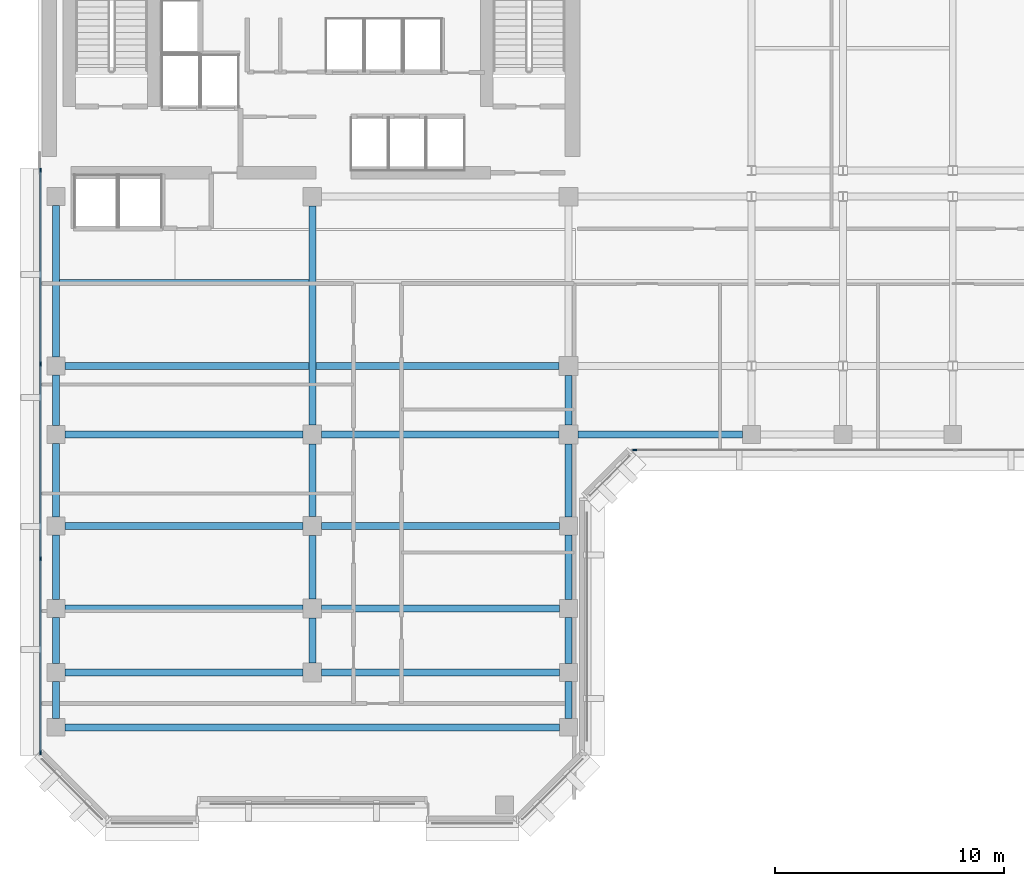
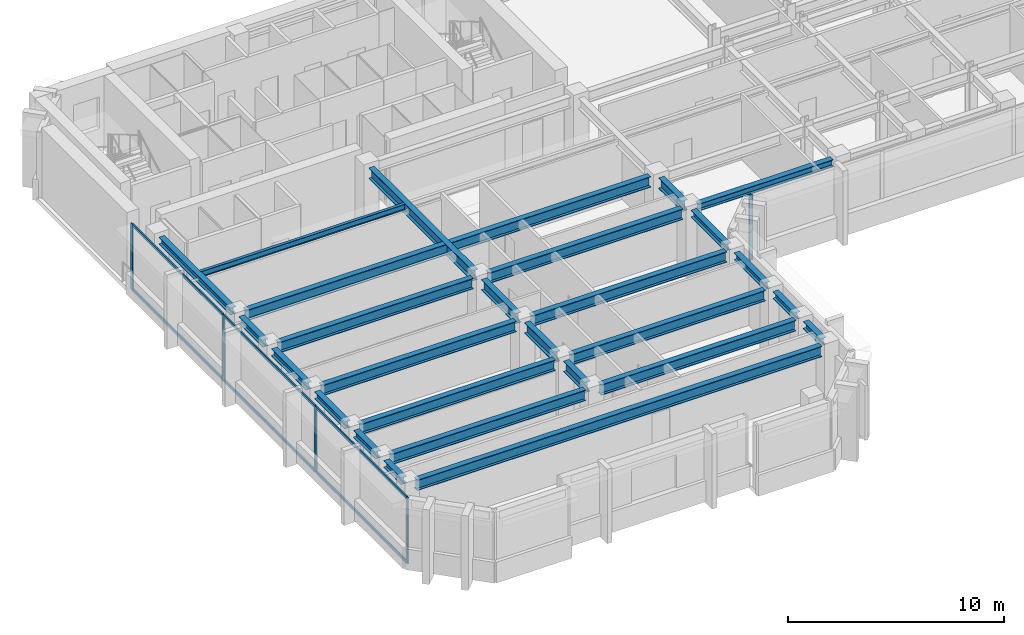
# One storey, part 2 of 12: 27 beams, 11 members, 2 elements without a shape of their own.
"""IFC4 building model written with IfcOpenShell, lengths in metres."""

from ifc_helpers import new_model, si_unit, direction, frame, origin, origin_2d, place, context, subcontext, project, spatial, rectangle, i_section, extrude, material, layer, layer_set, material_profile, profile_set, type_object, element, aggregate, save


model = new_model("IFC4")

# Units and contexts
model_context = context("Model", 3, precision=1e-05, world=origin(), true_north=direction((0.0, 1.0)))
body_context = subcontext(model_context, "Body", "Model", "MODEL_VIEW")
ifc_project = project(units=[si_unit("LENGTHUNIT", "METRE"), si_unit("AREAUNIT", "SQUARE_METRE"), si_unit("VOLUMEUNIT", "CUBIC_METRE"), si_unit("PLANEANGLEUNIT", "RADIAN"), si_unit("MASSUNIT", "GRAM", prefix="KILO")], contexts=[model_context])

# Site, building, storey
site_placement = place(None, origin())
site = spatial("IfcSite", under=ifc_project, at=site_placement, CompositionType="ELEMENT")
building_placement = place(site_placement, origin())
building = spatial("IfcBuilding", under=site, at=building_placement, Name="Kefirva Bronze Tower", CompositionType="ELEMENT")
storey_placement = place(building_placement, frame((0.0, 0.0, 211.199951171875)))
storey = spatial("IfcBuildingStorey", under=building, at=storey_placement, Name="L51", CompositionType="ELEMENT", Elevation=211.199951171875)

# Curtain wall, member
ifc_material_1 = material(Name="Bronze anodised aluminium", Category="aluminium")
ifc_layer = layer(ifc_material_1, 0.179931640625, Name="Bronze anodised aluminium")
ifc_layer_set = layer_set([ifc_layer], Name="Bronze anodised aluminium")
curtain_wall_type = type_object("IfcCurtainWallType", Name="Unitised Bronze Ribbon Curtain Wall Zone 3", PredefinedType="USERDEFINED", material=ifc_layer_set)
curtain_wall_1_placement = place(storey_placement, origin())
curtain_wall_1 = element("IfcCurtainWall", 1, at=curtain_wall_1_placement, inside=storey, type_object=curtain_wall_type, Name="L51 Curtain Wall 1", ObjectType="UNITISED CURTAIN WALL", PredefinedType="USERDEFINED")
ifc_material_profile_1 = material_profile(ifc_material_1, rectangle(XDim=0.074951171875, YDim=0.179931640625, at=origin_2d()), Name="ALU 75x180")
ifc_profile_set_1 = profile_set([ifc_material_profile_1], Name="Bronze anodised aluminium")
member_type_1 = type_object("IfcMemberType", Name="Bronze Mullion 75x180", PredefinedType="MULLION", material=ifc_profile_set_1)
member_1_placement = place(storey_placement, frame((26.092529296875, 22.1201171875, 0.0), z_axis=(0.0, 0.0, 1.0), x_axis=(0.0, 1.0, 0.0)))
member_1 = element("IfcMember", 2, at=member_1_placement, type_object=member_type_1, Name="CW-03 mullion 1", PredefinedType="MULLION", context=body_context, shape_type="SweptSolid", body=[
    extrude(rectangle(XDim=0.074951171875, YDim=0.179931640625, at=origin_2d()), origin(), (0.0, 0.0, 1.0), 3.7099609375),
])
aggregate(curtain_wall_1, [member_1])

# Curtain wall, members
curtain_wall_2_placement = place(storey_placement, origin())
curtain_wall_2 = element("IfcCurtainWall", 3, at=curtain_wall_2_placement, inside=storey, type_object=curtain_wall_type, Name="L51 Curtain Wall 4", ObjectType="UNITISED CURTAIN WALL", PredefinedType="USERDEFINED")
member_2_placement = place(storey_placement, frame((0.1201171875, 34.357421875, 0.0), z_axis=(0.0, 0.0, 1.0), x_axis=(1.0, 0.0, 0.0)))
member_2 = element("IfcMember", 4, at=member_2_placement, type_object=member_type_1, Name="CW-03 mullion 1", PredefinedType="MULLION", context=body_context, shape_type="SweptSolid", body=[
    extrude(rectangle(XDim=0.074951171875, YDim=0.179931640625, at=origin_2d()), origin(), (0.0, 0.0, 1.0), 3.7099609375),
])
member_3_placement = place(storey_placement, frame((0.1201171875, 25.881591796875, 0.0), z_axis=(0.0, 0.0, 1.0), x_axis=(1.0, 0.0, 0.0)))
member_3 = element("IfcMember", 5, at=member_3_placement, type_object=member_type_1, Name="CW-03 mullion 2", PredefinedType="MULLION", context=body_context, shape_type="SweptSolid", body=[
    extrude(rectangle(XDim=0.074951171875, YDim=0.179931640625, at=origin_2d()), origin(), (0.0, 0.0, 1.0), 3.7099609375),
])
member_4_placement = place(storey_placement, frame((0.1201171875, 17.368408203125, 0.0), z_axis=(0.0, 0.0, 1.0), x_axis=(1.0, 0.0, 0.0)))
member_4 = element("IfcMember", 6, at=member_4_placement, type_object=member_type_1, Name="CW-03 mullion 3", PredefinedType="MULLION", context=body_context, shape_type="SweptSolid", body=[
    extrude(rectangle(XDim=0.074951171875, YDim=0.179931640625, at=origin_2d()), origin(), (0.0, 0.0, 1.0), 3.7099609375),
])
member_5_placement = place(storey_placement, frame((0.1201171875, 8.892578125, 0.0), z_axis=(0.0, 0.0, 1.0), x_axis=(1.0, 0.0, 0.0)))
member_5 = element("IfcMember", 7, at=member_5_placement, type_object=member_type_1, Name="CW-03 mullion 4", PredefinedType="MULLION", context=body_context, shape_type="SweptSolid", body=[
    extrude(rectangle(XDim=0.074951171875, YDim=0.179931640625, at=origin_2d()), origin(), (0.0, 0.0, 1.0), 3.7099609375),
])
ifc_material_profile_2 = material_profile(ifc_material_1, rectangle(XDim=0.074951171875, YDim=0.14990234375, at=origin_2d()), Name="ALU 75x150")
ifc_profile_set_2 = profile_set([ifc_material_profile_2], Name="Bronze anodised aluminium")
member_type_2 = type_object("IfcMemberType", Name="Bronze Transom 75x150", PredefinedType="USERDEFINED", material=ifc_profile_set_2)
member_6_placement = place(storey_placement, frame((0.1201171875, 34.320068359375, 0.03759765625), z_axis=(0.0, -1.0, 0.0), x_axis=(1.0, 0.0, 0.0)))
member_6 = element("IfcMember", 8, at=member_6_placement, type_object=member_type_2, Name="CW-03 transom 1.1", ObjectType="TRANSOM", PredefinedType="USERDEFINED", context=body_context, shape_type="SweptSolid", body=[
    extrude(rectangle(XDim=0.074951171875, YDim=0.14990234375, at=origin_2d()), origin(), (0.0, 0.0, 1.0), 8.40087890625),
])
member_7_placement = place(storey_placement, frame((0.1201171875, 34.320068359375, 3.672607421875), z_axis=(0.0, -1.0, 0.0), x_axis=(1.0, 0.0, 0.0)))
member_7 = element("IfcMember", 9, at=member_7_placement, type_object=member_type_2, Name="CW-03 transom 1.2", ObjectType="TRANSOM", PredefinedType="USERDEFINED", context=body_context, shape_type="SweptSolid", body=[
    extrude(rectangle(XDim=0.074951171875, YDim=0.14990234375, at=origin_2d()), origin(), (0.0, 0.0, 1.0), 8.40087890625),
])
member_8_placement = place(storey_placement, frame((0.1201171875, 25.84423828125, 0.03759765625), z_axis=(0.0, -1.0, 0.0), x_axis=(1.0, 0.0, 0.0)))
member_8 = element("IfcMember", 10, at=member_8_placement, type_object=member_type_2, Name="CW-03 transom 2.1", ObjectType="TRANSOM", PredefinedType="USERDEFINED", context=body_context, shape_type="SweptSolid", body=[
    extrude(rectangle(XDim=0.074951171875, YDim=0.14990234375, at=origin_2d()), origin(), (0.0, 0.0, 1.0), 8.4384765625),
])
member_9_placement = place(storey_placement, frame((0.1201171875, 25.84423828125, 3.672607421875), z_axis=(0.0, -1.0, 0.0), x_axis=(1.0, 0.0, 0.0)))
member_9 = element("IfcMember", 11, at=member_9_placement, type_object=member_type_2, Name="CW-03 transom 2.2", ObjectType="TRANSOM", PredefinedType="USERDEFINED", context=body_context, shape_type="SweptSolid", body=[
    extrude(rectangle(XDim=0.074951171875, YDim=0.14990234375, at=origin_2d()), origin(), (0.0, 0.0, 1.0), 8.4384765625),
])
member_10_placement = place(storey_placement, frame((0.1201171875, 17.330810546875, 0.03759765625), z_axis=(0.0, -1.0, 0.0), x_axis=(1.0, 0.0, 0.0)))
member_10 = element("IfcMember", 12, at=member_10_placement, type_object=member_type_2, Name="CW-03 transom 3.1", ObjectType="TRANSOM", PredefinedType="USERDEFINED", context=body_context, shape_type="SweptSolid", body=[
    extrude(rectangle(XDim=0.074951171875, YDim=0.14990234375, at=origin_2d()), origin(), (0.0, 0.0, 1.0), 8.40087890625),
])
member_11_placement = place(storey_placement, frame((0.1201171875, 17.330810546875, 3.672607421875), z_axis=(0.0, -1.0, 0.0), x_axis=(1.0, 0.0, 0.0)))
member_11 = element("IfcMember", 13, at=member_11_placement, type_object=member_type_2, Name="CW-03 transom 3.2", ObjectType="TRANSOM", PredefinedType="USERDEFINED", context=body_context, shape_type="SweptSolid", body=[
    extrude(rectangle(XDim=0.074951171875, YDim=0.14990234375, at=origin_2d()), origin(), (0.0, 0.0, 1.0), 8.40087890625),
])
aggregate(curtain_wall_2, [member_2, member_3, member_4, member_5, member_6, member_7, member_8, member_9, member_10, member_11])

# Beams
ifc_material_2 = material(Name="Steel S355", Category="steel")
ifc_material_profile_3 = material_profile(ifc_material_2, i_section(OverallWidth=0.159912109375, OverallDepth=0.330078125, WebThickness=0.007568359375, FlangeThickness=0.011474609375, at=origin_2d()), Name="IPE 330")
ifc_profile_set_3 = profile_set([ifc_material_profile_3], Name="Steel S355")
beam_type_1 = type_object("IfcBeamType", Name="Steel Floor Joist IPE 330", PredefinedType="JOIST", material=ifc_profile_set_3)
beam_1_placement = place(storey_placement, frame((0.949951171875, 29.489990234375, 3.545166015625), z_axis=(1.0, 0.0, 0.0), x_axis=(0.0, 1.0, 0.0)))
element("IfcBeam", 14, at=beam_1_placement, inside=storey, type_object=beam_type_1, Name="L51 JST-L51-0-294", PredefinedType="JOIST", context=body_context, shape_type="SweptSolid", body=[
    extrude(i_section(OverallWidth=0.159912109375, OverallDepth=0.330078125, WebThickness=0.007568359375, FlangeThickness=0.011474609375, at=origin_2d()), origin(), (0.0, 0.0, 1.0), 10.900146484375),
])
ifc_material_profile_4 = material_profile(ifc_material_2, i_section(OverallWidth=0.300048828125, OverallDepth=0.60009765625, WebThickness=0.015380859375, FlangeThickness=0.030029296875, at=origin_2d()), Name="HEB 600")
ifc_profile_set_4 = profile_set([ifc_material_profile_4], Name="Steel S355")
beam_type_2 = type_object("IfcBeamType", Name="Steel Girder HEB 600", PredefinedType="USERDEFINED", material=ifc_profile_set_4)
beam_2_placement = place(storey_placement, frame((1.18994140625, 10.0, 3.41015625), z_axis=(1.0, 0.0, 0.0), x_axis=(0.0, 1.0, 0.0)))
element("IfcBeam", 15, at=beam_2_placement, inside=storey, type_object=beam_type_2, Name="L51 BM-L51-EW-0-100", ObjectType="GIRDER", PredefinedType="USERDEFINED", context=body_context, shape_type="SweptSolid", body=[
    extrude(i_section(OverallWidth=0.300048828125, OverallDepth=0.60009765625, WebThickness=0.015380859375, FlangeThickness=0.030029296875, at=origin_2d()), origin(), (0.0, 0.0, 1.0), 21.6201171875),
])
for number, where, z_axis, x_axis, name in (
    (16, (1.18994140625, 12.39990234375, 3.41015625), (1.0, 0.0, 0.0), (0.0, 1.0, 0.0), "L51 BM-L51-EW-0-124"),
    (17, (12.409912109375, 12.39990234375, 3.41015625), (1.0, 0.0, 0.0), (0.0, 1.0, 0.0), "L51 BM-L51-EW-12-124"),
    (18, (1.18994140625, 15.199951171875, 3.41015625), (1.0, 0.0, 0.0), (0.0, 1.0, 0.0), "L51 BM-L51-EW-0-152"),
    (19, (12.409912109375, 15.199951171875, 3.41015625), (1.0, 0.0, 0.0), (0.0, 1.0, 0.0), "L51 BM-L51-EW-12-152"),
    (20, (1.18994140625, 18.800048828125, 3.41015625), (1.0, 0.0, 0.0), (0.0, 1.0, 0.0), "L51 BM-L51-EW-0-188"),
    (21, (12.409912109375, 18.800048828125, 3.41015625), (1.0, 0.0, 0.0), (0.0, 1.0, 0.0), "L51 BM-L51-EW-12-188"),
    (22, (1.18994140625, 22.800048828125, 3.41015625), (1.0, 0.0, 0.0), (0.0, 1.0, 0.0), "L51 BM-L51-EW-0-228"),
):
    element("IfcBeam", number, at=place(storey_placement, frame(where, z_axis=z_axis, x_axis=x_axis)), inside=storey, type_object=beam_type_2, Name=name, ObjectType="GIRDER", PredefinedType="USERDEFINED", context=body_context, shape_type="SweptSolid", body=[
        extrude(i_section(OverallWidth=0.300048828125, OverallDepth=0.60009765625, WebThickness=0.015380859375, FlangeThickness=0.030029296875, at=origin_2d()), origin(), (0.0, 0.0, 1.0), 10.400146484375),
    ])
beam_3_placement = place(storey_placement, frame((12.409912109375, 22.800048828125, 3.41015625), z_axis=(1.0, 0.0, 0.0), x_axis=(0.0, 1.0, 0.0)))
element("IfcBeam", 23, at=beam_3_placement, inside=storey, type_object=beam_type_2, Name="L51 BM-L51-EW-12-228", ObjectType="GIRDER", PredefinedType="USERDEFINED", context=body_context, shape_type="SweptSolid", body=[
    extrude(i_section(OverallWidth=0.300048828125, OverallDepth=0.60009765625, WebThickness=0.015380859375, FlangeThickness=0.030029296875, at=origin_2d()), origin(), (0.0, 0.0, 1.0), 10.380126953125),
])
beam_4_placement = place(storey_placement, frame((1.18994140625, 25.800048828125, 3.41015625), z_axis=(1.0, 0.0, 0.0), x_axis=(0.0, 1.0, 0.0)))
element("IfcBeam", 24, at=beam_4_placement, inside=storey, type_object=beam_type_2, Name="L51 BM-L51-EW-0-258", ObjectType="GIRDER", PredefinedType="USERDEFINED", context=body_context, shape_type="SweptSolid", body=[
    extrude(i_section(OverallWidth=0.300048828125, OverallDepth=0.60009765625, WebThickness=0.015380859375, FlangeThickness=0.030029296875, at=origin_2d()), origin(), (0.0, 0.0, 1.0), 21.60009765625),
])
beam_5_placement = place(storey_placement, frame((12.0, 12.81005859375, 3.41015625), z_axis=(0.0, 1.0, 0.0), x_axis=(-1.0, 0.0, 0.0)))
element("IfcBeam", 25, at=beam_5_placement, inside=storey, type_object=beam_type_2, Name="L51 BM-L51-NS-120-12", ObjectType="GIRDER", PredefinedType="USERDEFINED", context=body_context, shape_type="SweptSolid", body=[
    extrude(i_section(OverallWidth=0.300048828125, OverallDepth=0.60009765625, WebThickness=0.015380859375, FlangeThickness=0.030029296875, at=origin_2d()), origin(), (0.0, 0.0, 1.0), 1.97998046875),
])
beam_6_placement = place(storey_placement, frame((12.0, 15.610107421875, 3.41015625), z_axis=(0.0, 1.0, 0.0), x_axis=(-1.0, 0.0, 0.0)))
element("IfcBeam", 26, at=beam_6_placement, inside=storey, type_object=beam_type_2, Name="L51 BM-L51-NS-120-15", ObjectType="GIRDER", PredefinedType="USERDEFINED", context=body_context, shape_type="SweptSolid", body=[
    extrude(i_section(OverallWidth=0.300048828125, OverallDepth=0.60009765625, WebThickness=0.015380859375, FlangeThickness=0.030029296875, at=origin_2d()), origin(), (0.0, 0.0, 1.0), 2.77978515625),
])
beam_7_placement = place(storey_placement, frame((12.0, 19.2099609375, 3.41015625), z_axis=(0.0, 1.0, 0.0), x_axis=(-1.0, 0.0, 0.0)))
element("IfcBeam", 27, at=beam_7_placement, inside=storey, type_object=beam_type_2, Name="L51 BM-L51-NS-120-18", ObjectType="GIRDER", PredefinedType="USERDEFINED", context=body_context, shape_type="SweptSolid", body=[
    extrude(i_section(OverallWidth=0.300048828125, OverallDepth=0.60009765625, WebThickness=0.015380859375, FlangeThickness=0.030029296875, at=origin_2d()), origin(), (0.0, 0.0, 1.0), 3.179931640625),
])
beam_8_placement = place(storey_placement, frame((12.0, 23.2099609375, 3.41015625), z_axis=(0.0, 1.0, 0.0), x_axis=(-1.0, 0.0, 0.0)))
element("IfcBeam", 28, at=beam_8_placement, inside=storey, type_object=beam_type_2, Name="L51 BM-L51-NS-120-22", ObjectType="GIRDER", PredefinedType="USERDEFINED", context=body_context, shape_type="SweptSolid", body=[
    extrude(i_section(OverallWidth=0.300048828125, OverallDepth=0.60009765625, WebThickness=0.015380859375, FlangeThickness=0.030029296875, at=origin_2d()), origin(), (0.0, 0.0, 1.0), 9.580078125),
])
beam_9_placement = place(storey_placement, frame((23.199951171875, 23.2099609375, 3.41015625), z_axis=(0.0, 1.0, 0.0), x_axis=(-1.0, 0.0, 0.0)))
element("IfcBeam", 29, at=beam_9_placement, inside=storey, type_object=beam_type_2, Name="L51 BM-L51-NS-232-22", ObjectType="GIRDER", PredefinedType="USERDEFINED", context=body_context, shape_type="SweptSolid", body=[
    extrude(i_section(OverallWidth=0.300048828125, OverallDepth=0.60009765625, WebThickness=0.015380859375, FlangeThickness=0.030029296875, at=origin_2d()), origin(), (0.0, 0.0, 1.0), 2.179931640625),
])
ifc_material_profile_5 = material_profile(ifc_material_2, i_section(OverallWidth=0.300048828125, OverallDepth=0.39990234375, WebThickness=0.013427734375, FlangeThickness=0.02392578125, at=origin_2d()), Name="HEB 400")
ifc_profile_set_5 = profile_set([ifc_material_profile_5], Name="Steel S355")
beam_type_3 = type_object("IfcBeamType", Name="Steel Spandrel HEB 400 Ext", PredefinedType="SPANDREL", material=ifc_profile_set_5)
beam_10_placement = place(storey_placement, frame((23.610107421875, 22.800048828125, 3.47998046875), z_axis=(1.0, 0.0, 0.0), x_axis=(0.0, 1.0, 0.0)))
element("IfcBeam", 30, at=beam_10_placement, inside=storey, type_object=beam_type_3, Name="L51 BM-L51-EW-23-228", PredefinedType="SPANDREL", context=body_context, shape_type="SweptSolid", body=[
    extrude(i_section(OverallWidth=0.300048828125, OverallDepth=0.39990234375, WebThickness=0.013427734375, FlangeThickness=0.02392578125, at=origin_2d()), origin(), (0.0, 0.0, 1.0), 7.199951171875),
])
beam_11_placement = place(storey_placement, frame((0.800048828125, 10.389892578125, 3.510009765625), z_axis=(0.0, 1.0, 0.0), x_axis=(-1.0, 0.0, 0.0)))
element("IfcBeam", 31, at=beam_11_placement, inside=storey, type_object=beam_type_3, Name="L51 BM-L51-NS-8-10", PredefinedType="SPANDREL", context=body_context, shape_type="SweptSolid", body=[
    extrude(i_section(OverallWidth=0.300048828125, OverallDepth=0.39990234375, WebThickness=0.013427734375, FlangeThickness=0.02392578125, at=origin_2d()), origin(), (0.0, 0.0, 1.0), 1.6201171875),
])
beam_12_placement = place(storey_placement, frame((0.800048828125, 12.7900390625, 3.510009765625), z_axis=(0.0, 1.0, 0.0), x_axis=(-1.0, 0.0, 0.0)))
element("IfcBeam", 32, at=beam_12_placement, inside=storey, type_object=beam_type_3, Name="L51 BM-L51-NS-8-12", PredefinedType="SPANDREL", context=body_context, shape_type="SweptSolid", body=[
    extrude(i_section(OverallWidth=0.300048828125, OverallDepth=0.39990234375, WebThickness=0.013427734375, FlangeThickness=0.02392578125, at=origin_2d()), origin(), (0.0, 0.0, 1.0), 2.02001953125),
])
beam_13_placement = place(storey_placement, frame((0.800048828125, 15.590087890625, 3.510009765625), z_axis=(0.0, 1.0, 0.0), x_axis=(-1.0, 0.0, 0.0)))
element("IfcBeam", 33, at=beam_13_placement, inside=storey, type_object=beam_type_3, Name="L51 BM-L51-NS-8-15", PredefinedType="SPANDREL", context=body_context, shape_type="SweptSolid", body=[
    extrude(i_section(OverallWidth=0.300048828125, OverallDepth=0.39990234375, WebThickness=0.013427734375, FlangeThickness=0.02392578125, at=origin_2d()), origin(), (0.0, 0.0, 1.0), 2.81982421875),
])
beam_14_placement = place(storey_placement, frame((0.800048828125, 19.18994140625, 3.510009765625), z_axis=(0.0, 1.0, 0.0), x_axis=(-1.0, 0.0, 0.0)))
element("IfcBeam", 34, at=beam_14_placement, inside=storey, type_object=beam_type_3, Name="L51 BM-L51-NS-8-18", PredefinedType="SPANDREL", context=body_context, shape_type="SweptSolid", body=[
    extrude(i_section(OverallWidth=0.300048828125, OverallDepth=0.39990234375, WebThickness=0.013427734375, FlangeThickness=0.02392578125, at=origin_2d()), origin(), (0.0, 0.0, 1.0), 3.219970703125),
])
beam_15_placement = place(storey_placement, frame((0.800048828125, 23.18994140625, 3.510009765625), z_axis=(0.0, 1.0, 0.0), x_axis=(-1.0, 0.0, 0.0)))
element("IfcBeam", 35, at=beam_15_placement, inside=storey, type_object=beam_type_3, Name="L51 BM-L51-NS-8-22", PredefinedType="SPANDREL", context=body_context, shape_type="SweptSolid", body=[
    extrude(i_section(OverallWidth=0.300048828125, OverallDepth=0.39990234375, WebThickness=0.013427734375, FlangeThickness=0.02392578125, at=origin_2d()), origin(), (0.0, 0.0, 1.0), 2.219970703125),
])
beam_16_placement = place(storey_placement, frame((0.800048828125, 26.18994140625, 3.510009765625), z_axis=(0.0, 1.0, 0.0), x_axis=(-1.0, 0.0, 0.0)))
element("IfcBeam", 36, at=beam_16_placement, inside=storey, type_object=beam_type_3, Name="L51 BM-L51-NS-8-25", PredefinedType="SPANDREL", context=body_context, shape_type="SweptSolid", body=[
    extrude(i_section(OverallWidth=0.300048828125, OverallDepth=0.39990234375, WebThickness=0.013427734375, FlangeThickness=0.02392578125, at=origin_2d()), origin(), (0.0, 0.0, 1.0), 6.6201171875),
])
beam_17_placement = place(storey_placement, frame((23.199951171875, 10.389892578125, 3.510009765625), z_axis=(0.0, 1.0, 0.0), x_axis=(-1.0, 0.0, 0.0)))
element("IfcBeam", 37, at=beam_17_placement, inside=storey, type_object=beam_type_3, Name="L51 BM-L51-NS-232-10", PredefinedType="SPANDREL", context=body_context, shape_type="SweptSolid", body=[
    extrude(i_section(OverallWidth=0.300048828125, OverallDepth=0.39990234375, WebThickness=0.013427734375, FlangeThickness=0.02392578125, at=origin_2d()), origin(), (0.0, 0.0, 1.0), 1.6201171875),
])
beam_18_placement = place(storey_placement, frame((23.199951171875, 12.7900390625, 3.510009765625), z_axis=(0.0, 1.0, 0.0), x_axis=(-1.0, 0.0, 0.0)))
element("IfcBeam", 38, at=beam_18_placement, inside=storey, type_object=beam_type_3, Name="L51 BM-L51-NS-232-12", PredefinedType="SPANDREL", context=body_context, shape_type="SweptSolid", body=[
    extrude(i_section(OverallWidth=0.300048828125, OverallDepth=0.39990234375, WebThickness=0.013427734375, FlangeThickness=0.02392578125, at=origin_2d()), origin(), (0.0, 0.0, 1.0), 2.02001953125),
])
beam_19_placement = place(storey_placement, frame((23.199951171875, 15.590087890625, 3.510009765625), z_axis=(0.0, 1.0, 0.0), x_axis=(-1.0, 0.0, 0.0)))
element("IfcBeam", 39, at=beam_19_placement, inside=storey, type_object=beam_type_3, Name="L51 BM-L51-NS-232-15", PredefinedType="SPANDREL", context=body_context, shape_type="SweptSolid", body=[
    extrude(i_section(OverallWidth=0.300048828125, OverallDepth=0.39990234375, WebThickness=0.013427734375, FlangeThickness=0.02392578125, at=origin_2d()), origin(), (0.0, 0.0, 1.0), 2.81982421875),
])
beam_20_placement = place(storey_placement, frame((23.199951171875, 19.18994140625, 3.510009765625), z_axis=(0.0, 1.0, 0.0), x_axis=(-1.0, 0.0, 0.0)))
element("IfcBeam", 40, at=beam_20_placement, inside=storey, type_object=beam_type_3, Name="L51 BM-L51-NS-232-18", PredefinedType="SPANDREL", context=body_context, shape_type="SweptSolid", body=[
    extrude(i_section(OverallWidth=0.300048828125, OverallDepth=0.39990234375, WebThickness=0.013427734375, FlangeThickness=0.02392578125, at=origin_2d()), origin(), (0.0, 0.0, 1.0), 3.199951171875),
])

save(model, "model.ifc")
